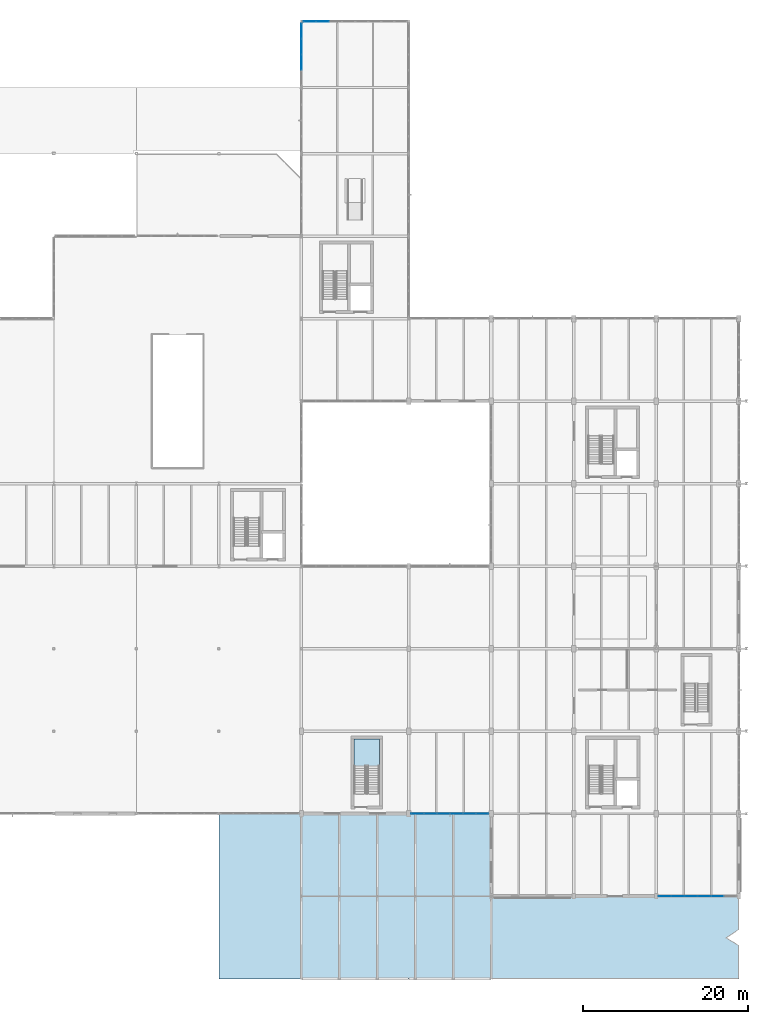
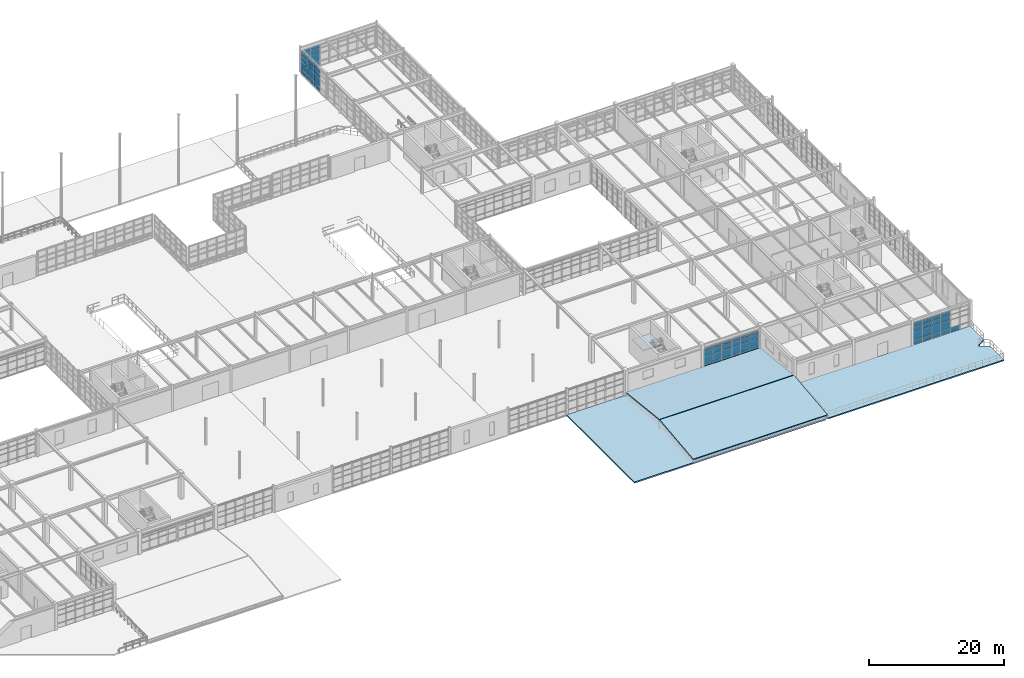
# One storey, part 97 of 139: 61 plates, 5 slabs, 5 elements without a shape of their own.
"""IFC4 building model written with IfcOpenShell, lengths in metres."""

from ifc_helpers import new_model, si_unit, direction, frame, origin, origin_2d, place, context, subcontext, project, spatial, polyline, rectangle, outline, extrude, material, layer, layer_set, type_object, element, aggregate, save


model = new_model("IFC4")

# Units and contexts
model_context = context("Model", 3, precision=1e-05, world=origin(), true_north=direction((0.0, 1.0)))
body_context = subcontext(model_context, "Body", "Model", "MODEL_VIEW")
ifc_project = project(units=[si_unit("LENGTHUNIT", "METRE"), si_unit("AREAUNIT", "SQUARE_METRE"), si_unit("VOLUMEUNIT", "CUBIC_METRE"), si_unit("PLANEANGLEUNIT", "RADIAN"), si_unit("MASSUNIT", "GRAM", prefix="KILO"), si_unit("THERMODYNAMICTEMPERATUREUNIT", "KELVIN"), si_unit("POWERUNIT", "WATT")], contexts=[model_context])

# Site, building, storey
site_placement = place(None, origin())
site = spatial("IfcSite", under=ifc_project, at=site_placement, CompositionType="ELEMENT")
building_placement = place(site_placement, origin())
building = spatial("IfcBuilding", under=site, at=building_placement, Name="Korenveer Ferry Terminal", CompositionType="ELEMENT")
storey_placement = place(building_placement, frame((0.0, 0.0, 5.39990234375)))
storey = spatial("IfcBuildingStorey", under=building, at=storey_placement, Name="L01", CompositionType="ELEMENT", Elevation=5.39990234375)

# Curtain wall, plates
ifc_material_1 = material(Name="Unitised bronze-and-glass curtain wall", Category="glass")
ifc_layer_1 = layer(ifc_material_1, 0.159912109375)
ifc_layer_set_1 = layer_set([ifc_layer_1], Name="Unitised bronze-and-glass curtain wall")
curtain_wall_type_1 = type_object("IfcCurtainWallType", Name="ENV-CW-37", PredefinedType="USERDEFINED", material=ifc_layer_set_1)
curtain_wall_1_placement = place(storey_placement, frame((166.22998046875, 10.0, 0.0)))
curtain_wall_1 = element("IfcCurtainWall", 1, at=curtain_wall_1_placement, inside=storey, type_object=curtain_wall_type_1, Name="Lancet curtain wall CWX-L01-X166-176-Y10-10", ObjectType="UNITISED CURTAIN WALL", PredefinedType="USERDEFINED")
ifc_material_2 = material(Name="Low-iron solar-control double glazing", Category="glass")
ifc_layer_2 = layer(ifc_material_2, 0.028076171875)
ifc_layer_set_2 = layer_set([ifc_layer_2], Name="Low-iron solar-control double glazing")
plate_type_1 = type_object("IfcPlateType", Name="ENV-CWP-GLZ28", PredefinedType="CURTAIN_PANEL", material=ifc_layer_set_2)
plate_1_placement = place(storey_placement, frame((167.0400390625, 10.0, 0.06005859375), z_axis=(0.0, 0.0, 1.0), x_axis=(1.0, 0.0, 0.0)))
plate_1 = element("IfcPlate", 2, at=plate_1_placement, type_object=plate_type_1, Name="CW-37 panel 1.1", PredefinedType="CURTAIN_PANEL", context=body_context, shape_type="SweptSolid", body=[
    extrude(rectangle(XDim=1.5, YDim=0.028076171875, at=origin_2d()), origin(), (0.0, 0.0, 1.0), 0.81005859375),
])
plate_2_placement = place(storey_placement, frame((167.0400390625, 10.0, 0.93017578125), z_axis=(0.0, 0.0, 1.0), x_axis=(1.0, 0.0, 0.0)))
plate_2 = element("IfcPlate", 3, at=plate_2_placement, type_object=plate_type_1, Name="CW-37 panel 1.2", PredefinedType="CURTAIN_PANEL", context=body_context, shape_type="SweptSolid", body=[
    extrude(rectangle(XDim=1.5, YDim=0.028076171875, at=origin_2d()), origin(), (0.0, 0.0, 1.0), 1.389892578125),
])
plate_3_placement = place(storey_placement, frame((167.0400390625, 10.0, 2.3798828125), z_axis=(0.0, 0.0, 1.0), x_axis=(1.0, 0.0, 0.0)))
plate_3 = element("IfcPlate", 4, at=plate_3_placement, type_object=plate_type_1, Name="CW-37 panel 1.3", PredefinedType="CURTAIN_PANEL", context=body_context, shape_type="SweptSolid", body=[
    extrude(rectangle(XDim=1.5, YDim=0.028076171875, at=origin_2d()), origin(), (0.0, 0.0, 1.0), 0.840087890625),
])
plate_4_placement = place(storey_placement, frame((167.0400390625, 10.0, 3.280029296875), z_axis=(0.0, 0.0, 1.0), x_axis=(1.0, 0.0, 0.0)))
plate_4 = element("IfcPlate", 5, at=plate_4_placement, type_object=plate_type_1, Name="CW-37 panel 1.4", PredefinedType="CURTAIN_PANEL", context=body_context, shape_type="SweptSolid", body=[
    extrude(rectangle(XDim=1.5, YDim=0.028076171875, at=origin_2d()), origin(), (0.0, 0.0, 1.0), 0.7099609375),
])
plate_5_placement = place(storey_placement, frame((168.614990234375, 10.0, 0.06005859375), z_axis=(0.0, 0.0, 1.0), x_axis=(1.0, 0.0, 0.0)))
plate_5 = element("IfcPlate", 6, at=plate_5_placement, type_object=plate_type_1, Name="CW-37 panel 2.1", PredefinedType="CURTAIN_PANEL", context=body_context, shape_type="SweptSolid", body=[
    extrude(rectangle(XDim=1.530029296875, YDim=0.028076171875, at=origin_2d()), origin(), (0.0, 0.0, 1.0), 0.81005859375),
])
plate_6_placement = place(storey_placement, frame((168.614990234375, 10.0, 0.93017578125), z_axis=(0.0, 0.0, 1.0), x_axis=(1.0, 0.0, 0.0)))
plate_6 = element("IfcPlate", 7, at=plate_6_placement, type_object=plate_type_1, Name="CW-37 panel 2.2", PredefinedType="CURTAIN_PANEL", context=body_context, shape_type="SweptSolid", body=[
    extrude(rectangle(XDim=1.530029296875, YDim=0.028076171875, at=origin_2d()), origin(), (0.0, 0.0, 1.0), 1.389892578125),
])
plate_7_placement = place(storey_placement, frame((168.614990234375, 10.0, 2.3798828125), z_axis=(0.0, 0.0, 1.0), x_axis=(1.0, 0.0, 0.0)))
plate_7 = element("IfcPlate", 8, at=plate_7_placement, type_object=plate_type_1, Name="CW-37 panel 2.3", PredefinedType="CURTAIN_PANEL", context=body_context, shape_type="SweptSolid", body=[
    extrude(rectangle(XDim=1.530029296875, YDim=0.028076171875, at=origin_2d()), origin(), (0.0, 0.0, 1.0), 0.840087890625),
])
plate_8_placement = place(storey_placement, frame((168.614990234375, 10.0, 3.280029296875), z_axis=(0.0, 0.0, 1.0), x_axis=(1.0, 0.0, 0.0)))
plate_8 = element("IfcPlate", 9, at=plate_8_placement, type_object=plate_type_1, Name="CW-37 panel 2.4", PredefinedType="CURTAIN_PANEL", context=body_context, shape_type="SweptSolid", body=[
    extrude(rectangle(XDim=1.530029296875, YDim=0.028076171875, at=origin_2d()), origin(), (0.0, 0.0, 1.0), 0.7099609375),
])
plate_9_placement = place(storey_placement, frame((170.205078125, 10.0, 0.06005859375), z_axis=(0.0, 0.0, 1.0), x_axis=(1.0, 0.0, 0.0)))
plate_9 = element("IfcPlate", 10, at=plate_9_placement, type_object=plate_type_1, Name="CW-37 panel 3.1", PredefinedType="CURTAIN_PANEL", context=body_context, shape_type="SweptSolid", body=[
    extrude(rectangle(XDim=1.530029296875, YDim=0.028076171875, at=origin_2d()), origin(), (0.0, 0.0, 1.0), 0.81005859375),
])
plate_10_placement = place(storey_placement, frame((170.205078125, 10.0, 0.93017578125), z_axis=(0.0, 0.0, 1.0), x_axis=(1.0, 0.0, 0.0)))
plate_10 = element("IfcPlate", 11, at=plate_10_placement, type_object=plate_type_1, Name="CW-37 panel 3.2", PredefinedType="CURTAIN_PANEL", context=body_context, shape_type="SweptSolid", body=[
    extrude(rectangle(XDim=1.530029296875, YDim=0.028076171875, at=origin_2d()), origin(), (0.0, 0.0, 1.0), 1.389892578125),
])
plate_11_placement = place(storey_placement, frame((170.205078125, 10.0, 2.3798828125), z_axis=(0.0, 0.0, 1.0), x_axis=(1.0, 0.0, 0.0)))
plate_11 = element("IfcPlate", 12, at=plate_11_placement, type_object=plate_type_1, Name="CW-37 panel 3.3", PredefinedType="CURTAIN_PANEL", context=body_context, shape_type="SweptSolid", body=[
    extrude(rectangle(XDim=1.530029296875, YDim=0.028076171875, at=origin_2d()), origin(), (0.0, 0.0, 1.0), 0.840087890625),
])
plate_12_placement = place(storey_placement, frame((170.205078125, 10.0, 3.280029296875), z_axis=(0.0, 0.0, 1.0), x_axis=(1.0, 0.0, 0.0)))
plate_12 = element("IfcPlate", 13, at=plate_12_placement, type_object=plate_type_1, Name="CW-37 panel 3.4", PredefinedType="CURTAIN_PANEL", context=body_context, shape_type="SweptSolid", body=[
    extrude(rectangle(XDim=1.530029296875, YDim=0.028076171875, at=origin_2d()), origin(), (0.0, 0.0, 1.0), 0.7099609375),
])
plate_13_placement = place(storey_placement, frame((171.794921875, 10.0, 0.06005859375), z_axis=(0.0, 0.0, 1.0), x_axis=(1.0, 0.0, 0.0)))
plate_13 = element("IfcPlate", 14, at=plate_13_placement, type_object=plate_type_1, Name="CW-37 panel 4.1", PredefinedType="CURTAIN_PANEL", context=body_context, shape_type="SweptSolid", body=[
    extrude(rectangle(XDim=1.530029296875, YDim=0.028076171875, at=origin_2d()), origin(), (0.0, 0.0, 1.0), 0.81005859375),
])
plate_14_placement = place(storey_placement, frame((171.794921875, 10.0, 0.93017578125), z_axis=(0.0, 0.0, 1.0), x_axis=(1.0, 0.0, 0.0)))
plate_14 = element("IfcPlate", 15, at=plate_14_placement, type_object=plate_type_1, Name="CW-37 panel 4.2", PredefinedType="CURTAIN_PANEL", context=body_context, shape_type="SweptSolid", body=[
    extrude(rectangle(XDim=1.530029296875, YDim=0.028076171875, at=origin_2d()), origin(), (0.0, 0.0, 1.0), 1.389892578125),
])
plate_15_placement = place(storey_placement, frame((171.794921875, 10.0, 2.3798828125), z_axis=(0.0, 0.0, 1.0), x_axis=(1.0, 0.0, 0.0)))
plate_15 = element("IfcPlate", 16, at=plate_15_placement, type_object=plate_type_1, Name="CW-37 panel 4.3", PredefinedType="CURTAIN_PANEL", context=body_context, shape_type="SweptSolid", body=[
    extrude(rectangle(XDim=1.530029296875, YDim=0.028076171875, at=origin_2d()), origin(), (0.0, 0.0, 1.0), 0.840087890625),
])
plate_16_placement = place(storey_placement, frame((171.794921875, 10.0, 3.280029296875), z_axis=(0.0, 0.0, 1.0), x_axis=(1.0, 0.0, 0.0)))
plate_16 = element("IfcPlate", 17, at=plate_16_placement, type_object=plate_type_1, Name="CW-37 panel 4.4", PredefinedType="CURTAIN_PANEL", context=body_context, shape_type="SweptSolid", body=[
    extrude(rectangle(XDim=1.530029296875, YDim=0.028076171875, at=origin_2d()), origin(), (0.0, 0.0, 1.0), 0.7099609375),
])
plate_17_placement = place(storey_placement, frame((173.385009765625, 10.0, 0.06005859375), z_axis=(0.0, 0.0, 1.0), x_axis=(1.0, 0.0, 0.0)))
plate_17 = element("IfcPlate", 18, at=plate_17_placement, type_object=plate_type_1, Name="CW-37 panel 5.1", PredefinedType="CURTAIN_PANEL", context=body_context, shape_type="SweptSolid", body=[
    extrude(rectangle(XDim=1.530029296875, YDim=0.028076171875, at=origin_2d()), origin(), (0.0, 0.0, 1.0), 0.81005859375),
])
aggregate(curtain_wall_1, [plate_1, plate_2, plate_3, plate_4, plate_5, plate_6, plate_7, plate_8, plate_9, plate_10, plate_11, plate_12, plate_13, plate_14, plate_15, plate_16, plate_17])

ifc_layer_3 = layer(ifc_material_1, 0.159912109375)
ifc_layer_set_3 = layer_set([ifc_layer_3], Name="Unitised bronze-and-glass curtain wall")
curtain_wall_type_2 = type_object("IfcCurtainWallType", Name="ENV-CW-42", PredefinedType="USERDEFINED", material=ifc_layer_set_3)
curtain_wall_2_placement = place(storey_placement, frame((136.280029296875, 20.0, 0.0)))
curtain_wall_2 = element("IfcCurtainWall", 19, at=curtain_wall_2_placement, inside=storey, type_object=curtain_wall_type_2, Name="Lancet curtain wall CWX-L01-X136-146-Y20-20", ObjectType="UNITISED CURTAIN WALL", PredefinedType="USERDEFINED")
plate_18_placement = place(storey_placement, frame((137.081787109375, 20.0, 0.06005859375), z_axis=(0.0, 0.0, 1.0), x_axis=(1.0, 0.0, 0.0)))
plate_18 = element("IfcPlate", 20, at=plate_18_placement, type_object=plate_type_1, Name="CW-42 panel 1.1", PredefinedType="CURTAIN_PANEL", context=body_context, shape_type="SweptSolid", body=[
    extrude(rectangle(XDim=1.4833984375, YDim=0.028076171875, at=origin_2d()), origin(), (0.0, 0.0, 1.0), 0.81005859375),
])
plate_19_placement = place(storey_placement, frame((137.081787109375, 20.0, 0.93017578125), z_axis=(0.0, 0.0, 1.0), x_axis=(1.0, 0.0, 0.0)))
plate_19 = element("IfcPlate", 21, at=plate_19_placement, type_object=plate_type_1, Name="CW-42 panel 1.2", PredefinedType="CURTAIN_PANEL", context=body_context, shape_type="SweptSolid", body=[
    extrude(rectangle(XDim=1.4833984375, YDim=0.028076171875, at=origin_2d()), origin(), (0.0, 0.0, 1.0), 1.389892578125),
])
plate_20_placement = place(storey_placement, frame((137.081787109375, 20.0, 2.3798828125), z_axis=(0.0, 0.0, 1.0), x_axis=(1.0, 0.0, 0.0)))
plate_20 = element("IfcPlate", 22, at=plate_20_placement, type_object=plate_type_1, Name="CW-42 panel 1.3", PredefinedType="CURTAIN_PANEL", context=body_context, shape_type="SweptSolid", body=[
    extrude(rectangle(XDim=1.4833984375, YDim=0.028076171875, at=origin_2d()), origin(), (0.0, 0.0, 1.0), 0.840087890625),
])
plate_21_placement = place(storey_placement, frame((137.081787109375, 20.0, 3.2802734375), z_axis=(0.0, 0.0, 1.0), x_axis=(1.0, 0.0, 0.0)))
plate_21 = element("IfcPlate", 23, at=plate_21_placement, type_object=plate_type_1, Name="CW-42 panel 1.4", PredefinedType="CURTAIN_PANEL", context=body_context, shape_type="SweptSolid", body=[
    extrude(rectangle(XDim=1.4833984375, YDim=0.028076171875, at=origin_2d()), origin(), (0.0, 0.0, 1.0), 0.429931640625),
])
plate_22_placement = place(storey_placement, frame((138.639892578125, 20.0, 0.06005859375), z_axis=(0.0, 0.0, 1.0), x_axis=(1.0, 0.0, 0.0)))
plate_22 = element("IfcPlate", 24, at=plate_22_placement, type_object=plate_type_1, Name="CW-42 panel 2.1", PredefinedType="CURTAIN_PANEL", context=body_context, shape_type="SweptSolid", body=[
    extrude(rectangle(XDim=1.513427734375, YDim=0.028076171875, at=origin_2d()), origin(), (0.0, 0.0, 1.0), 0.81005859375),
])
plate_23_placement = place(storey_placement, frame((138.639892578125, 20.0, 0.93017578125), z_axis=(0.0, 0.0, 1.0), x_axis=(1.0, 0.0, 0.0)))
plate_23 = element("IfcPlate", 25, at=plate_23_placement, type_object=plate_type_1, Name="CW-42 panel 2.2", PredefinedType="CURTAIN_PANEL", context=body_context, shape_type="SweptSolid", body=[
    extrude(rectangle(XDim=1.513427734375, YDim=0.028076171875, at=origin_2d()), origin(), (0.0, 0.0, 1.0), 1.389892578125),
])
plate_24_placement = place(storey_placement, frame((138.639892578125, 20.0, 2.3798828125), z_axis=(0.0, 0.0, 1.0), x_axis=(1.0, 0.0, 0.0)))
plate_24 = element("IfcPlate", 26, at=plate_24_placement, type_object=plate_type_1, Name="CW-42 panel 2.3", PredefinedType="CURTAIN_PANEL", context=body_context, shape_type="SweptSolid", body=[
    extrude(rectangle(XDim=1.513427734375, YDim=0.028076171875, at=origin_2d()), origin(), (0.0, 0.0, 1.0), 0.840087890625),
])
plate_25_placement = place(storey_placement, frame((138.639892578125, 20.0, 3.2802734375), z_axis=(0.0, 0.0, 1.0), x_axis=(1.0, 0.0, 0.0)))
plate_25 = element("IfcPlate", 27, at=plate_25_placement, type_object=plate_type_1, Name="CW-42 panel 2.4", PredefinedType="CURTAIN_PANEL", context=body_context, shape_type="SweptSolid", body=[
    extrude(rectangle(XDim=1.513427734375, YDim=0.028076171875, at=origin_2d()), origin(), (0.0, 0.0, 1.0), 0.429931640625),
])
plate_26_placement = place(storey_placement, frame((140.21337890625, 20.0, 0.06005859375), z_axis=(0.0, 0.0, 1.0), x_axis=(1.0, 0.0, 0.0)))
plate_26 = element("IfcPlate", 28, at=plate_26_placement, type_object=plate_type_1, Name="CW-42 panel 3.1", PredefinedType="CURTAIN_PANEL", context=body_context, shape_type="SweptSolid", body=[
    extrude(rectangle(XDim=1.513427734375, YDim=0.028076171875, at=origin_2d()), origin(), (0.0, 0.0, 1.0), 0.81005859375),
])
plate_27_placement = place(storey_placement, frame((140.21337890625, 20.0, 0.93017578125), z_axis=(0.0, 0.0, 1.0), x_axis=(1.0, 0.0, 0.0)))
plate_27 = element("IfcPlate", 29, at=plate_27_placement, type_object=plate_type_1, Name="CW-42 panel 3.2", PredefinedType="CURTAIN_PANEL", context=body_context, shape_type="SweptSolid", body=[
    extrude(rectangle(XDim=1.513427734375, YDim=0.028076171875, at=origin_2d()), origin(), (0.0, 0.0, 1.0), 1.389892578125),
])
plate_28_placement = place(storey_placement, frame((140.21337890625, 20.0, 2.3798828125), z_axis=(0.0, 0.0, 1.0), x_axis=(1.0, 0.0, 0.0)))
plate_28 = element("IfcPlate", 30, at=plate_28_placement, type_object=plate_type_1, Name="CW-42 panel 3.3", PredefinedType="CURTAIN_PANEL", context=body_context, shape_type="SweptSolid", body=[
    extrude(rectangle(XDim=1.513427734375, YDim=0.028076171875, at=origin_2d()), origin(), (0.0, 0.0, 1.0), 0.840087890625),
])
plate_29_placement = place(storey_placement, frame((140.21337890625, 20.0, 3.2802734375), z_axis=(0.0, 0.0, 1.0), x_axis=(1.0, 0.0, 0.0)))
plate_29 = element("IfcPlate", 31, at=plate_29_placement, type_object=plate_type_1, Name="CW-42 panel 3.4", PredefinedType="CURTAIN_PANEL", context=body_context, shape_type="SweptSolid", body=[
    extrude(rectangle(XDim=1.513427734375, YDim=0.028076171875, at=origin_2d()), origin(), (0.0, 0.0, 1.0), 0.429931640625),
])
plate_30_placement = place(storey_placement, frame((141.78662109375, 20.0, 0.06005859375), z_axis=(0.0, 0.0, 1.0), x_axis=(1.0, 0.0, 0.0)))
plate_30 = element("IfcPlate", 32, at=plate_30_placement, type_object=plate_type_1, Name="CW-42 panel 4.1", PredefinedType="CURTAIN_PANEL", context=body_context, shape_type="SweptSolid", body=[
    extrude(rectangle(XDim=1.513427734375, YDim=0.028076171875, at=origin_2d()), origin(), (0.0, 0.0, 1.0), 0.81005859375),
])
plate_31_placement = place(storey_placement, frame((141.78662109375, 20.0, 0.93017578125), z_axis=(0.0, 0.0, 1.0), x_axis=(1.0, 0.0, 0.0)))
plate_31 = element("IfcPlate", 33, at=plate_31_placement, type_object=plate_type_1, Name="CW-42 panel 4.2", PredefinedType="CURTAIN_PANEL", context=body_context, shape_type="SweptSolid", body=[
    extrude(rectangle(XDim=1.513427734375, YDim=0.028076171875, at=origin_2d()), origin(), (0.0, 0.0, 1.0), 1.389892578125),
])
plate_32_placement = place(storey_placement, frame((141.78662109375, 20.0, 2.3798828125), z_axis=(0.0, 0.0, 1.0), x_axis=(1.0, 0.0, 0.0)))
plate_32 = element("IfcPlate", 34, at=plate_32_placement, type_object=plate_type_1, Name="CW-42 panel 4.3", PredefinedType="CURTAIN_PANEL", context=body_context, shape_type="SweptSolid", body=[
    extrude(rectangle(XDim=1.513427734375, YDim=0.028076171875, at=origin_2d()), origin(), (0.0, 0.0, 1.0), 0.840087890625),
])
plate_33_placement = place(storey_placement, frame((141.78662109375, 20.0, 3.2802734375), z_axis=(0.0, 0.0, 1.0), x_axis=(1.0, 0.0, 0.0)))
plate_33 = element("IfcPlate", 35, at=plate_33_placement, type_object=plate_type_1, Name="CW-42 panel 4.4", PredefinedType="CURTAIN_PANEL", context=body_context, shape_type="SweptSolid", body=[
    extrude(rectangle(XDim=1.513427734375, YDim=0.028076171875, at=origin_2d()), origin(), (0.0, 0.0, 1.0), 0.429931640625),
])
plate_34_placement = place(storey_placement, frame((143.360107421875, 20.0, 0.06005859375), z_axis=(0.0, 0.0, 1.0), x_axis=(1.0, 0.0, 0.0)))
plate_34 = element("IfcPlate", 36, at=plate_34_placement, type_object=plate_type_1, Name="CW-42 panel 5.1", PredefinedType="CURTAIN_PANEL", context=body_context, shape_type="SweptSolid", body=[
    extrude(rectangle(XDim=1.513427734375, YDim=0.028076171875, at=origin_2d()), origin(), (0.0, 0.0, 1.0), 0.81005859375),
])
plate_35_placement = place(storey_placement, frame((143.360107421875, 20.0, 0.93017578125), z_axis=(0.0, 0.0, 1.0), x_axis=(1.0, 0.0, 0.0)))
plate_35 = element("IfcPlate", 37, at=plate_35_placement, type_object=plate_type_1, Name="CW-42 panel 5.2", PredefinedType="CURTAIN_PANEL", context=body_context, shape_type="SweptSolid", body=[
    extrude(rectangle(XDim=1.513427734375, YDim=0.028076171875, at=origin_2d()), origin(), (0.0, 0.0, 1.0), 1.389892578125),
])
plate_36_placement = place(storey_placement, frame((143.360107421875, 20.0, 2.3798828125), z_axis=(0.0, 0.0, 1.0), x_axis=(1.0, 0.0, 0.0)))
plate_36 = element("IfcPlate", 38, at=plate_36_placement, type_object=plate_type_1, Name="CW-42 panel 5.3", PredefinedType="CURTAIN_PANEL", context=body_context, shape_type="SweptSolid", body=[
    extrude(rectangle(XDim=1.513427734375, YDim=0.028076171875, at=origin_2d()), origin(), (0.0, 0.0, 1.0), 0.840087890625),
])
plate_37_placement = place(storey_placement, frame((143.360107421875, 20.0, 3.2802734375), z_axis=(0.0, 0.0, 1.0), x_axis=(1.0, 0.0, 0.0)))
plate_37 = element("IfcPlate", 39, at=plate_37_placement, type_object=plate_type_1, Name="CW-42 panel 5.4", PredefinedType="CURTAIN_PANEL", context=body_context, shape_type="SweptSolid", body=[
    extrude(rectangle(XDim=1.513427734375, YDim=0.028076171875, at=origin_2d()), origin(), (0.0, 0.0, 1.0), 0.429931640625),
])
plate_38_placement = place(storey_placement, frame((144.918212890625, 20.0, 0.06005859375), z_axis=(0.0, 0.0, 1.0), x_axis=(1.0, 0.0, 0.0)))
plate_38 = element("IfcPlate", 40, at=plate_38_placement, type_object=plate_type_1, Name="CW-42 panel 6.1", PredefinedType="CURTAIN_PANEL", context=body_context, shape_type="SweptSolid", body=[
    extrude(rectangle(XDim=1.4833984375, YDim=0.028076171875, at=origin_2d()), origin(), (0.0, 0.0, 1.0), 0.81005859375),
])
plate_39_placement = place(storey_placement, frame((144.918212890625, 20.0, 0.93017578125), z_axis=(0.0, 0.0, 1.0), x_axis=(1.0, 0.0, 0.0)))
plate_39 = element("IfcPlate", 41, at=plate_39_placement, type_object=plate_type_1, Name="CW-42 panel 6.2", PredefinedType="CURTAIN_PANEL", context=body_context, shape_type="SweptSolid", body=[
    extrude(rectangle(XDim=1.4833984375, YDim=0.028076171875, at=origin_2d()), origin(), (0.0, 0.0, 1.0), 1.389892578125),
])
plate_40_placement = place(storey_placement, frame((144.918212890625, 20.0, 2.3798828125), z_axis=(0.0, 0.0, 1.0), x_axis=(1.0, 0.0, 0.0)))
plate_40 = element("IfcPlate", 42, at=plate_40_placement, type_object=plate_type_1, Name="CW-42 panel 6.3", PredefinedType="CURTAIN_PANEL", context=body_context, shape_type="SweptSolid", body=[
    extrude(rectangle(XDim=1.4833984375, YDim=0.028076171875, at=origin_2d()), origin(), (0.0, 0.0, 1.0), 0.840087890625),
])
plate_41_placement = place(storey_placement, frame((144.918212890625, 20.0, 3.2802734375), z_axis=(0.0, 0.0, 1.0), x_axis=(1.0, 0.0, 0.0)))
plate_41 = element("IfcPlate", 43, at=plate_41_placement, type_object=plate_type_1, Name="CW-42 panel 6.4", PredefinedType="CURTAIN_PANEL", context=body_context, shape_type="SweptSolid", body=[
    extrude(rectangle(XDim=1.4833984375, YDim=0.028076171875, at=origin_2d()), origin(), (0.0, 0.0, 1.0), 0.429931640625),
])
aggregate(curtain_wall_2, [plate_18, plate_19, plate_20, plate_21, plate_22, plate_23, plate_24, plate_25, plate_26, plate_27, plate_28, plate_29, plate_30, plate_31, plate_32, plate_33, plate_34, plate_35, plate_36, plate_37, plate_38, plate_39, plate_40, plate_41])

ifc_layer_4 = layer(ifc_material_1, 0.219970703125)
ifc_layer_set_4 = layer_set([ifc_layer_4], Name="Unitised bronze-and-glass curtain wall")
curtain_wall_type_3 = type_object("IfcCurtainWallType", Name="ENV-CW-57", PredefinedType="USERDEFINED", material=ifc_layer_set_4)
curtain_wall_3_placement = place(storey_placement, frame((123.179931640625, 116.0, 0.0)))
curtain_wall_3 = element("IfcCurtainWall", 44, at=curtain_wall_3_placement, inside=storey, type_object=curtain_wall_type_3, Name="Lancet curtain wall CWX-L01-X123-136-Y116-116", ObjectType="UNITISED CURTAIN WALL", PredefinedType="USERDEFINED")
ifc_material_3 = material(Name="Acoustic laminated marine glazing", Category="glass")
ifc_layer_5 = layer(ifc_material_3, 0.035888671875)
ifc_layer_set_5 = layer_set([ifc_layer_5], Name="Acoustic laminated marine glazing")
plate_type_2 = type_object("IfcPlateType", Name="ENV-CWP-GLZ36", PredefinedType="CURTAIN_PANEL", material=ifc_layer_set_5)
plate_42_placement = place(storey_placement, frame((123.989501953125, 116.0, 0.074951171875), z_axis=(0.0, 0.0, 1.0), x_axis=(1.0, 0.0, 0.0)))
plate_42 = element("IfcPlate", 45, at=plate_42_placement, type_object=plate_type_2, Name="CW-57 panel 1.1", PredefinedType="CURTAIN_PANEL", context=body_context, shape_type="SweptSolid", body=[
    extrude(rectangle(XDim=1.46923828125, YDim=0.035888671875, at=origin_2d()), origin(), (0.0, 0.0, 1.0), 0.78759765625),
])
plate_43_placement = place(storey_placement, frame((123.989501953125, 116.0, 0.9375), z_axis=(0.0, 0.0, 1.0), x_axis=(1.0, 0.0, 0.0)))
plate_43 = element("IfcPlate", 46, at=plate_43_placement, type_object=plate_type_2, Name="CW-57 panel 1.2", PredefinedType="CURTAIN_PANEL", context=body_context, shape_type="SweptSolid", body=[
    extrude(rectangle(XDim=1.46923828125, YDim=0.035888671875, at=origin_2d()), origin(), (0.0, 0.0, 1.0), 1.375),
])
plate_44_placement = place(storey_placement, frame((123.989501953125, 116.0, 2.3876953125), z_axis=(0.0, 0.0, 1.0), x_axis=(1.0, 0.0, 0.0)))
plate_44 = element("IfcPlate", 47, at=plate_44_placement, type_object=plate_type_2, Name="CW-57 panel 1.3", PredefinedType="CURTAIN_PANEL", context=body_context, shape_type="SweptSolid", body=[
    extrude(rectangle(XDim=1.46923828125, YDim=0.035888671875, at=origin_2d()), origin(), (0.0, 0.0, 1.0), 0.824951171875),
])
plate_45_placement = place(storey_placement, frame((123.989501953125, 116.0, 3.28759765625), z_axis=(0.0, 0.0, 1.0), x_axis=(1.0, 0.0, 0.0)))
plate_45 = element("IfcPlate", 48, at=plate_45_placement, type_object=plate_type_2, Name="CW-57 panel 1.4", PredefinedType="CURTAIN_PANEL", context=body_context, shape_type="SweptSolid", body=[
    extrude(rectangle(XDim=1.46923828125, YDim=0.035888671875, at=origin_2d()), origin(), (0.0, 0.0, 1.0), 0.507568359375),
])
plate_46_placement = place(storey_placement, frame((125.552490234375, 116.0, 0.074951171875), z_axis=(0.0, 0.0, 1.0), x_axis=(1.0, 0.0, 0.0)))
plate_46 = element("IfcPlate", 49, at=plate_46_placement, type_object=plate_type_2, Name="CW-57 panel 2.1", PredefinedType="CURTAIN_PANEL", context=body_context, shape_type="SweptSolid", body=[
    extrude(rectangle(XDim=1.506591796875, YDim=0.035888671875, at=origin_2d()), origin(), (0.0, 0.0, 1.0), 0.78759765625),
])
plate_47_placement = place(storey_placement, frame((125.552490234375, 116.0, 0.9375), z_axis=(0.0, 0.0, 1.0), x_axis=(1.0, 0.0, 0.0)))
plate_47 = element("IfcPlate", 50, at=plate_47_placement, type_object=plate_type_2, Name="CW-57 panel 2.2", PredefinedType="CURTAIN_PANEL", context=body_context, shape_type="SweptSolid", body=[
    extrude(rectangle(XDim=1.506591796875, YDim=0.035888671875, at=origin_2d()), origin(), (0.0, 0.0, 1.0), 1.375),
])
plate_48_placement = place(storey_placement, frame((125.552490234375, 116.0, 2.3876953125), z_axis=(0.0, 0.0, 1.0), x_axis=(1.0, 0.0, 0.0)))
plate_48 = element("IfcPlate", 51, at=plate_48_placement, type_object=plate_type_2, Name="CW-57 panel 2.3", PredefinedType="CURTAIN_PANEL", context=body_context, shape_type="SweptSolid", body=[
    extrude(rectangle(XDim=1.506591796875, YDim=0.035888671875, at=origin_2d()), origin(), (0.0, 0.0, 1.0), 0.824951171875),
])
plate_49_placement = place(storey_placement, frame((125.552490234375, 116.0, 3.28759765625), z_axis=(0.0, 0.0, 1.0), x_axis=(1.0, 0.0, 0.0)))
plate_49 = element("IfcPlate", 52, at=plate_49_placement, type_object=plate_type_2, Name="CW-57 panel 2.4", PredefinedType="CURTAIN_PANEL", context=body_context, shape_type="SweptSolid", body=[
    extrude(rectangle(XDim=1.506591796875, YDim=0.035888671875, at=origin_2d()), origin(), (0.0, 0.0, 1.0), 0.507568359375),
])
aggregate(curtain_wall_3, [plate_42, plate_43, plate_44, plate_45, plate_46, plate_47, plate_48, plate_49])

ifc_layer_6 = layer(ifc_material_1, 0.219970703125)
ifc_layer_set_6 = layer_set([ifc_layer_6], Name="Unitised bronze-and-glass curtain wall")
curtain_wall_type_4 = type_object("IfcCurtainWallType", Name="ENV-CW-75", PredefinedType="USERDEFINED", material=ifc_layer_set_6)
curtain_wall_4_placement = place(storey_placement, frame((123.0, 108.2099609375, 0.0)))
curtain_wall_4 = element("IfcCurtainWall", 53, at=curtain_wall_4_placement, inside=storey, type_object=curtain_wall_type_4, Name="Lancet curtain wall CWX-L01-X123-123-Y108-116", ObjectType="UNITISED CURTAIN WALL", PredefinedType="USERDEFINED")
plate_50_placement = place(storey_placement, frame((123.0, 111.052490234375, 0.074951171875), z_axis=(0.0, 0.0, 1.0), x_axis=(0.0, 1.0, 0.0)))
plate_50 = element("IfcPlate", 54, at=plate_50_placement, type_object=plate_type_2, Name="CW-75 panel 2.1", PredefinedType="CURTAIN_PANEL", context=body_context, shape_type="SweptSolid", body=[
    extrude(rectangle(XDim=1.820068359375, YDim=0.035888671875, at=origin_2d()), origin(), (0.0, 0.0, 1.0), 0.78759765625),
])
plate_51_placement = place(storey_placement, frame((123.0, 111.052490234375, 0.9375), z_axis=(0.0, 0.0, 1.0), x_axis=(0.0, 1.0, 0.0)))
plate_51 = element("IfcPlate", 55, at=plate_51_placement, type_object=plate_type_2, Name="CW-75 panel 2.2", PredefinedType="CURTAIN_PANEL", context=body_context, shape_type="SweptSolid", body=[
    extrude(rectangle(XDim=1.820068359375, YDim=0.035888671875, at=origin_2d()), origin(), (0.0, 0.0, 1.0), 1.375),
])
plate_52_placement = place(storey_placement, frame((123.0, 111.052490234375, 2.3876953125), z_axis=(0.0, 0.0, 1.0), x_axis=(0.0, 1.0, 0.0)))
plate_52 = element("IfcPlate", 56, at=plate_52_placement, type_object=plate_type_2, Name="CW-75 panel 2.3", PredefinedType="CURTAIN_PANEL", context=body_context, shape_type="SweptSolid", body=[
    extrude(rectangle(XDim=1.820068359375, YDim=0.035888671875, at=origin_2d()), origin(), (0.0, 0.0, 1.0), 0.824951171875),
])
plate_53_placement = place(storey_placement, frame((123.0, 111.052490234375, 3.28759765625), z_axis=(0.0, 0.0, 1.0), x_axis=(0.0, 1.0, 0.0)))
plate_53 = element("IfcPlate", 57, at=plate_53_placement, type_object=plate_type_2, Name="CW-75 panel 2.4", PredefinedType="CURTAIN_PANEL", context=body_context, shape_type="SweptSolid", body=[
    extrude(rectangle(XDim=1.820068359375, YDim=0.035888671875, at=origin_2d()), origin(), (0.0, 0.0, 1.0), 0.66748046875),
])
plate_54_placement = place(storey_placement, frame((123.0, 112.947509765625, 0.074951171875), z_axis=(0.0, 0.0, 1.0), x_axis=(0.0, 1.0, 0.0)))
plate_54 = element("IfcPlate", 58, at=plate_54_placement, type_object=plate_type_2, Name="CW-75 panel 3.1", PredefinedType="CURTAIN_PANEL", context=body_context, shape_type="SweptSolid", body=[
    extrude(rectangle(XDim=1.820068359375, YDim=0.035888671875, at=origin_2d()), origin(), (0.0, 0.0, 1.0), 0.78759765625),
])
plate_55_placement = place(storey_placement, frame((123.0, 112.947509765625, 0.9375), z_axis=(0.0, 0.0, 1.0), x_axis=(0.0, 1.0, 0.0)))
plate_55 = element("IfcPlate", 59, at=plate_55_placement, type_object=plate_type_2, Name="CW-75 panel 3.2", PredefinedType="CURTAIN_PANEL", context=body_context, shape_type="SweptSolid", body=[
    extrude(rectangle(XDim=1.820068359375, YDim=0.035888671875, at=origin_2d()), origin(), (0.0, 0.0, 1.0), 1.375),
])
plate_56_placement = place(storey_placement, frame((123.0, 112.947509765625, 2.3876953125), z_axis=(0.0, 0.0, 1.0), x_axis=(0.0, 1.0, 0.0)))
plate_56 = element("IfcPlate", 60, at=plate_56_placement, type_object=plate_type_2, Name="CW-75 panel 3.3", PredefinedType="CURTAIN_PANEL", context=body_context, shape_type="SweptSolid", body=[
    extrude(rectangle(XDim=1.820068359375, YDim=0.035888671875, at=origin_2d()), origin(), (0.0, 0.0, 1.0), 0.824951171875),
])
plate_57_placement = place(storey_placement, frame((123.0, 112.947509765625, 3.28759765625), z_axis=(0.0, 0.0, 1.0), x_axis=(0.0, 1.0, 0.0)))
plate_57 = element("IfcPlate", 61, at=plate_57_placement, type_object=plate_type_2, Name="CW-75 panel 3.4", PredefinedType="CURTAIN_PANEL", context=body_context, shape_type="SweptSolid", body=[
    extrude(rectangle(XDim=1.820068359375, YDim=0.035888671875, at=origin_2d()), origin(), (0.0, 0.0, 1.0), 0.66748046875),
])
plate_58_placement = place(storey_placement, frame((123.0, 114.82373046875, 0.074951171875), z_axis=(0.0, 0.0, 1.0), x_axis=(0.0, 1.0, 0.0)))
plate_58 = element("IfcPlate", 62, at=plate_58_placement, type_object=plate_type_2, Name="CW-75 panel 4.1", PredefinedType="CURTAIN_PANEL", context=body_context, shape_type="SweptSolid", body=[
    extrude(rectangle(XDim=1.782470703125, YDim=0.035888671875, at=origin_2d()), origin(), (0.0, 0.0, 1.0), 0.78759765625),
])
plate_59_placement = place(storey_placement, frame((123.0, 114.82373046875, 0.9375), z_axis=(0.0, 0.0, 1.0), x_axis=(0.0, 1.0, 0.0)))
plate_59 = element("IfcPlate", 63, at=plate_59_placement, type_object=plate_type_2, Name="CW-75 panel 4.2", PredefinedType="CURTAIN_PANEL", context=body_context, shape_type="SweptSolid", body=[
    extrude(rectangle(XDim=1.782470703125, YDim=0.035888671875, at=origin_2d()), origin(), (0.0, 0.0, 1.0), 1.375),
])
plate_60_placement = place(storey_placement, frame((123.0, 114.82373046875, 2.3876953125), z_axis=(0.0, 0.0, 1.0), x_axis=(0.0, 1.0, 0.0)))
plate_60 = element("IfcPlate", 64, at=plate_60_placement, type_object=plate_type_2, Name="CW-75 panel 4.3", PredefinedType="CURTAIN_PANEL", context=body_context, shape_type="SweptSolid", body=[
    extrude(rectangle(XDim=1.782470703125, YDim=0.035888671875, at=origin_2d()), origin(), (0.0, 0.0, 1.0), 0.824951171875),
])
plate_61_placement = place(storey_placement, frame((123.0, 114.82373046875, 3.28759765625), z_axis=(0.0, 0.0, 1.0), x_axis=(0.0, 1.0, 0.0)))
plate_61 = element("IfcPlate", 65, at=plate_61_placement, type_object=plate_type_2, Name="CW-75 panel 4.4", PredefinedType="CURTAIN_PANEL", context=body_context, shape_type="SweptSolid", body=[
    extrude(rectangle(XDim=1.782470703125, YDim=0.035888671875, at=origin_2d()), origin(), (0.0, 0.0, 1.0), 0.66748046875),
])
aggregate(curtain_wall_4, [plate_50, plate_51, plate_52, plate_53, plate_54, plate_55, plate_56, plate_57, plate_58, plate_59, plate_60, plate_61])

# Stair, slab
ifc_material_4 = material(Name="Concrete C40/50", Category="concrete")
stair_type = type_object("IfcStairType", Name="INT-ST-02", PredefinedType="HALF_TURN_STAIR", material=ifc_material_4)
stair_placement = place(storey_placement, frame((131.735107421875, 22.409912109375, 0.0)))
stair = element("IfcStair", 66, at=stair_placement, inside=storey, type_object=stair_type, Name="L01 Arrivals East Stair Core K10", PredefinedType="HALF_TURN_STAIR")
ifc_layer_7 = layer(ifc_material_4, 0.199951171875)
ifc_layer_set_7 = layer_set([ifc_layer_7], Name="Concrete C40/50")
slab_type_1 = type_object("IfcSlabType", Name="INT-SL-LAND200", PredefinedType="LANDING", material=ifc_layer_set_7)
slab_1_placement = place(storey_placement, frame((0.0, 0.0, 2.2001953125)))
slab_1 = element("IfcSlab", 67, at=slab_1_placement, type_object=slab_type_1, Name="ST10 landing 1", PredefinedType="LANDING", context=body_context, shape_type="SweptSolid", body=[
    extrude(outline(polyline([(132.4599609375, 25.77001953125), (132.4599609375, 29.0400390625), (129.360107421875, 29.0400390625), (129.360107421875, 25.77001953125), (132.4599609375, 25.77001953125)])), origin(), (0.0, 0.0, 1.0), 0.199951171875),
])
aggregate(stair, [slab_1])

# Slabs
ifc_layer_8 = layer(ifc_material_4, 0.219970703125)
ifc_layer_set_8 = layer_set([ifc_layer_8], Name="Concrete C40/50")
slab_type_2 = type_object("IfcSlabType", Name="STR-SL-DECK220", PredefinedType="FLOOR", material=ifc_layer_set_8)
slab_2_placement = place(storey_placement, frame((0.0, 0.0, -0.219970703125)))
element("IfcSlab", 68, at=slab_2_placement, inside=storey, type_object=slab_type_2, Name="East Forecourt Terrace", PredefinedType="FLOOR", context=body_context, shape_type="SweptSolid", body=[
    extrude(outline(polyline([(146.0, 0.0), (176.0, 0.0), (176.0, 4.0), (174.5, 5.0), (176.0, 6.0), (176.0, 10.0), (146.0, 10.0), (146.0, 0.0)])), origin(), (0.0, 0.0, 1.0), 0.219970703125),
])
ifc_material_5 = material(Name="Concrete C35/45", Category="concrete")
ifc_layer_9 = layer(ifc_material_5, 0.239990234375)
ifc_layer_set_9 = layer_set([ifc_layer_9], Name="Concrete C35/45")
slab_type_3 = type_object("IfcSlabType", Name="STR-SL-ROOF240", PredefinedType="ROOF", material=ifc_layer_set_9)
slab_3_placement = place(storey_placement, frame((0.0, 0.0, -0.239990234375)))
element("IfcSlab", 69, at=slab_3_placement, inside=storey, type_object=slab_type_3, Name="Forecourt entrance colonnade canopy SE", PredefinedType="ROOF", context=body_context, shape_type="SweptSolid", body=[
    extrude(outline(polyline([(113.0, 0.0), (145.64990234375, 0.0), (145.64990234375, 10.35009765625), (146.0, 10.35009765625), (146.0, 20.0), (113.0, 20.0), (113.0, 0.0)])), origin(), (0.0, 0.0, 1.0), 0.239990234375),
])
ifc_layer_10 = layer(ifc_material_5, 0.159912109375)
ifc_layer_set_10 = layer_set([ifc_layer_10], Name="Concrete C35/45")
slab_type_4 = type_object("IfcSlabType", Name="STR-SL-WING160", PredefinedType="ROOF", material=ifc_layer_set_10)
for number, where, z_axis, x_axis, name in (
    (70, (123.050048828125, 0.050048828125, 0.590087890625), (0.0, -0.110442286578, 0.993882539003), (1.0, 0.0, 0.0), "Forecourt canopy pitched roof FCE 1"),
    (71, (123.050048828125, 10.050048828125, 1.690185546875), (0.0, 0.110442286578, 0.993882539003), (1.0, 0.0, 0.0), "Forecourt canopy pitched roof FCE 2"),
):
    element("IfcSlab", number, at=place(storey_placement, frame(where, z_axis=z_axis, x_axis=x_axis)), inside=storey, type_object=slab_type_4, Name=name, PredefinedType="ROOF", context=body_context, shape_type="SweptSolid", body=[
        extrude(outline(polyline([(0.0, 0.0), (22.89990234375, 0.0), (22.89990234375, 9.960837377905207), (0.0, 9.960837377905207), (0.0, 0.0)])), origin(), (0.0, 0.0, -1.0), 0.159912109375),
    ])

save(model, "model.ifc")
